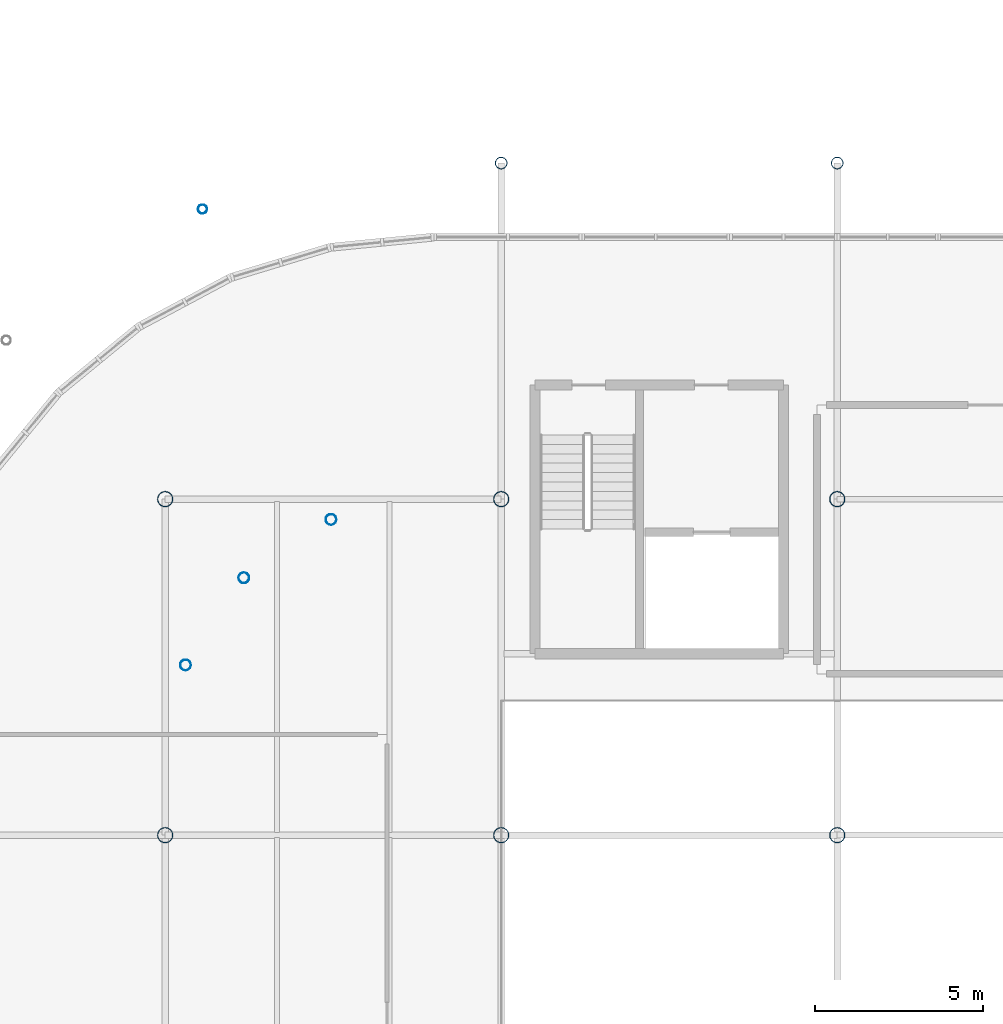
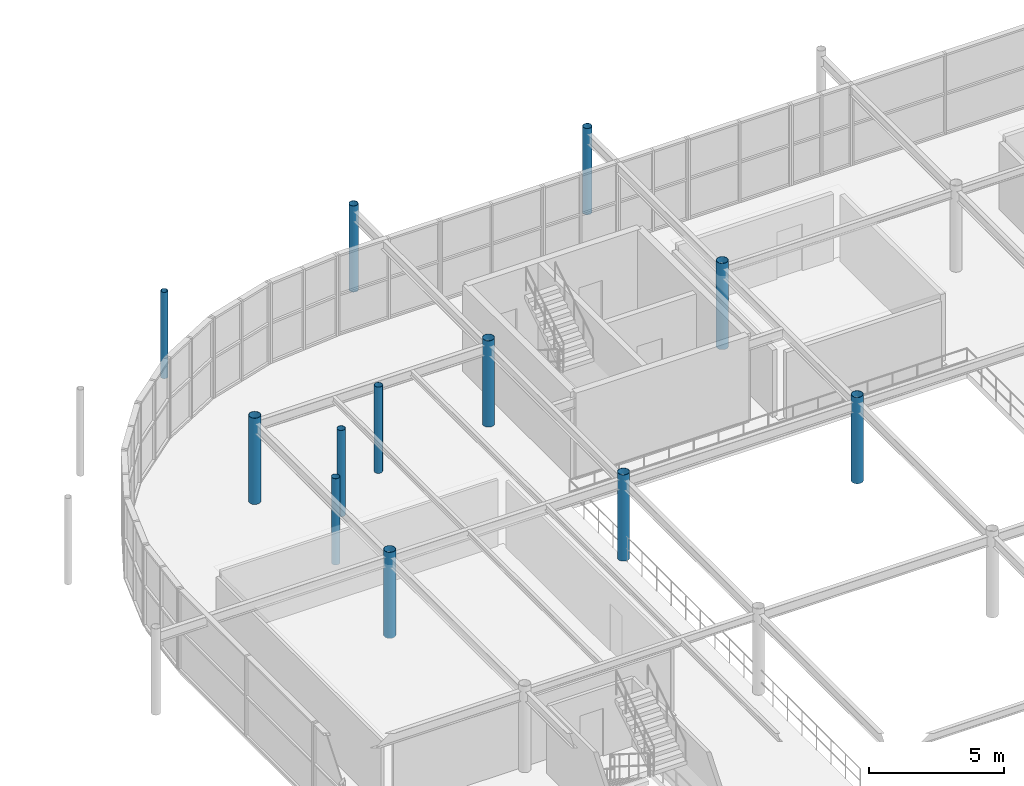
# One storey, part 12 of 98: 12 columns.
"""IFC4 building model written with IfcOpenShell, lengths in metres."""

from ifc_helpers import new_model, si_unit, derived_unit, direction, frame, origin, origin_2d_with_axis, place, context, subcontext, project, spatial, hollow_circle, extrude, material, material_profile, profile_set, type_object, element, save


model = new_model("IFC4")

# Units and contexts
model_context = context("Model", 3, precision=1e-05, world=origin(), true_north=direction((0.0, 1.0)))
body_context = subcontext(model_context, "Body", "Model", "MODEL_VIEW")
ifc_project = project(units=[si_unit("LENGTHUNIT", "METRE"), si_unit("AREAUNIT", "SQUARE_METRE"), si_unit("VOLUMEUNIT", "CUBIC_METRE"), si_unit("PLANEANGLEUNIT", "RADIAN"), si_unit("MASSUNIT", "GRAM", prefix="KILO"), derived_unit("THERMALTRANSMITTANCEUNIT", [(si_unit("POWERUNIT", "WATT"), 1), (si_unit("LENGTHUNIT", "METRE"), -2), (si_unit("THERMODYNAMICTEMPERATUREUNIT", "KELVIN"), -1)])], contexts=[model_context])

# Site, building, storey
site_placement = place(None, origin())
site = spatial("IfcSite", under=ifc_project, at=site_placement, CompositionType="ELEMENT")
building_placement = place(site_placement, origin())
building = spatial("IfcBuilding", under=site, at=building_placement, Name="Cinnabar Yard Market Hall", CompositionType="ELEMENT")
storey_placement = place(building_placement, frame((0.0, 0.0, 4.5)))
storey = spatial("IfcBuildingStorey", under=building, at=storey_placement, Name="L01", CompositionType="ELEMENT", Elevation=4.5)

# Columns
ifc_material = material(Name="Spotted-gum glulam-clad steel Grade 350 (350 MPa)", Category="steel")
ifc_material_profile_1 = material_profile(ifc_material, hollow_circle(Radius=0.228515625, WallThickness=0.0126953125, at=origin_2d_with_axis()), Name="457.0x12.7CHS")
ifc_profile_set_1 = profile_set([ifc_material_profile_1], Name="Spotted-gum glulam-clad steel Grade 350 (350 MPa)")
column_type_1 = type_object("IfcColumnType", Name="COL-C01", PredefinedType="COLUMN", material=ifc_profile_set_1)
for number, where, z_axis, x_axis, name in (
    (1, (76.0, 54.0, 0.0), (0.0, 0.0, 1.0), (1.0, 0.0, 0.0), "Tree Column V1I-01-04 L01"),
    (2, (76.0, 64.0, 0.0), (0.0, 0.0, 1.0), (1.0, 0.0, 0.0), "Tree Column V1I-01-05 L01"),
    (3, (86.0, 54.0, 0.0), (0.0, 0.0, 1.0), (1.0, 0.0, 0.0), "Tree Column V1I-02-04 L01"),
    (4, (86.0, 64.0, 0.0), (0.0, 0.0, 1.0), (1.0, 0.0, 0.0), "Tree Column V1I-02-05 L01"),
    (5, (96.0, 54.0, 0.0), (0.0, 0.0, 1.0), (1.0, 0.0, 0.0), "Tree Column V1I-03-04 L01"),
    (6, (96.0, 64.0, 0.0), (0.0, 0.0, 1.0), (1.0, 0.0, 0.0), "Tree Column V1I-03-05 L01"),
):
    element("IfcColumn", number, at=place(storey_placement, frame(where, z_axis=z_axis, x_axis=x_axis)), inside=storey, type_object=column_type_1, Name=name, PredefinedType="COLUMN", context=body_context, shape_type="SweptSolid", body=[
        extrude(hollow_circle(Radius=0.228515625, WallThickness=0.0126953125, at=origin_2d_with_axis()), origin(), (0.0, 0.0, 1.0), 3.89990234375),
    ])
ifc_material_profile_2 = material_profile(ifc_material, hollow_circle(Radius=0.177734375, WallThickness=0.0126953125, at=origin_2d_with_axis()), Name="355.6x12.7CHS")
ifc_profile_set_2 = profile_set([ifc_material_profile_2], Name="Spotted-gum glulam-clad steel Grade 350 (350 MPa)")
column_type_2 = type_object("IfcColumnType", Name="COL-C02E", PredefinedType="COLUMN", material=ifc_profile_set_2)
for number, where, z_axis, x_axis, name in (
    (7, (86.0, 74.0, 0.0), (0.0, 0.0, 1.0), (1.0, 0.0, 0.0), "Tree Column V1N-01 L01"),
    (8, (96.0, 74.0, 0.0), (0.0, 0.0, 1.0), (1.0, 0.0, 0.0), "Tree Column V1N-02 L01"),
):
    element("IfcColumn", number, at=place(storey_placement, frame(where, z_axis=z_axis, x_axis=x_axis)), inside=storey, type_object=column_type_2, Name=name, PredefinedType="COLUMN", context=body_context, shape_type="SweptSolid", body=[
        extrude(hollow_circle(Radius=0.177734375, WallThickness=0.0126953125, at=origin_2d_with_axis()), origin(), (0.0, 0.0, 1.0), 3.89990234375),
    ])
ifc_material_profile_3 = material_profile(ifc_material, hollow_circle(Radius=0.161865234375, WallThickness=0.009521484375, at=origin_2d_with_axis()), Name="323.9x9.5CHS")
ifc_profile_set_3 = profile_set([ifc_material_profile_3], Name="Spotted-gum glulam-clad steel Grade 350 (350 MPa)")
column_type_3 = type_object("IfcColumnType", Name="COL-C03", PredefinedType="COLUMN", material=ifc_profile_set_3)
for number, where, z_axis, x_axis, name in (
    (9, (80.9384765625, 63.39111328125, 0.0), (0.0, 0.0, 1.0), (1.0, 0.0, 0.0), "Tree Column V1IC-NW2 L01"),
    (10, (78.343017578125, 61.656982421875, 0.0), (0.0, 0.0, 1.0), (1.0, 0.0, 0.0), "Tree Column V1IC-NW4 L01"),
    (11, (76.60888671875, 59.0615234375, 0.0), (0.0, 0.0, 1.0), (1.0, 0.0, 0.0), "Tree Column V1IC-NW6 L01"),
):
    element("IfcColumn", number, at=place(storey_placement, frame(where, z_axis=z_axis, x_axis=x_axis)), inside=storey, type_object=column_type_3, Name=name, PredefinedType="COLUMN", context=body_context, shape_type="SweptSolid", body=[
        extrude(hollow_circle(Radius=0.161865234375, WallThickness=0.009521484375, at=origin_2d_with_axis()), origin(), (0.0, 0.0, 1.0), 3.89990234375),
    ])
ifc_material_profile_4 = material_profile(ifc_material, hollow_circle(Radius=0.136474609375, WallThickness=0.00927734375, at=origin_2d_with_axis()), Name="273.1x9.3CHS")
ifc_profile_set_4 = profile_set([ifc_material_profile_4], Name="Spotted-gum glulam-clad steel Grade 350 (350 MPa)")
column_type_4 = type_object("IfcColumnType", Name="COL-C04E", PredefinedType="COLUMN", material=ifc_profile_set_4)
column_placement = place(storey_placement, frame((77.11181640625, 72.6298828125, 0.0), z_axis=(0.0, 0.0, 1.0), x_axis=(1.0, 0.0, 0.0)))
element("IfcColumn", 12, at=column_placement, inside=storey, type_object=column_type_4, Name="Tree Column V1C-NW2 L01", PredefinedType="COLUMN", context=body_context, shape_type="SweptSolid", body=[
    extrude(hollow_circle(Radius=0.136474609375, WallThickness=0.00927734375, at=origin_2d_with_axis()), origin(), (0.0, 0.0, 1.0), 3.89990234375),
])

save(model, "model.ifc")
